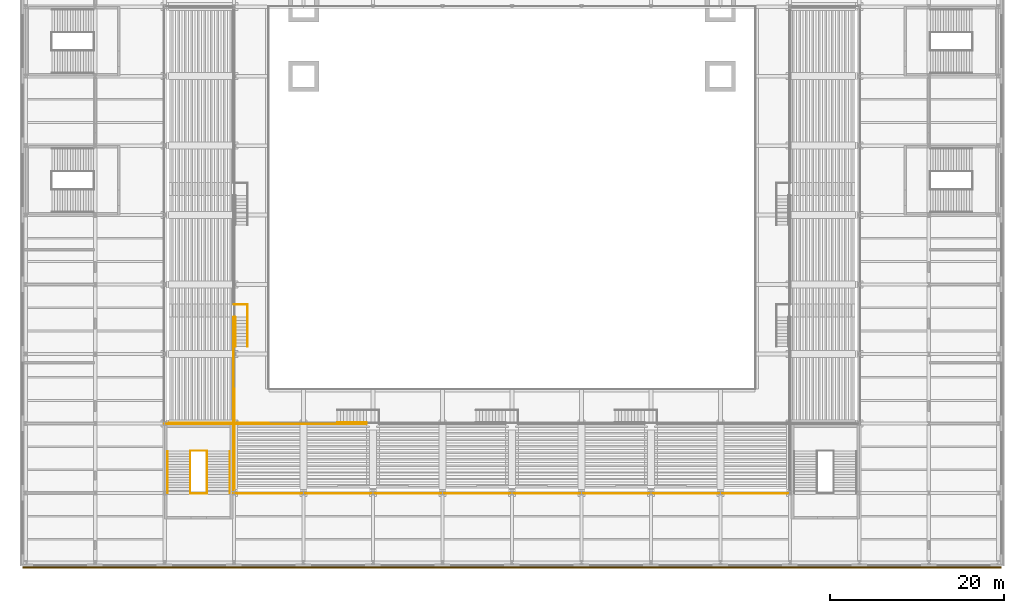
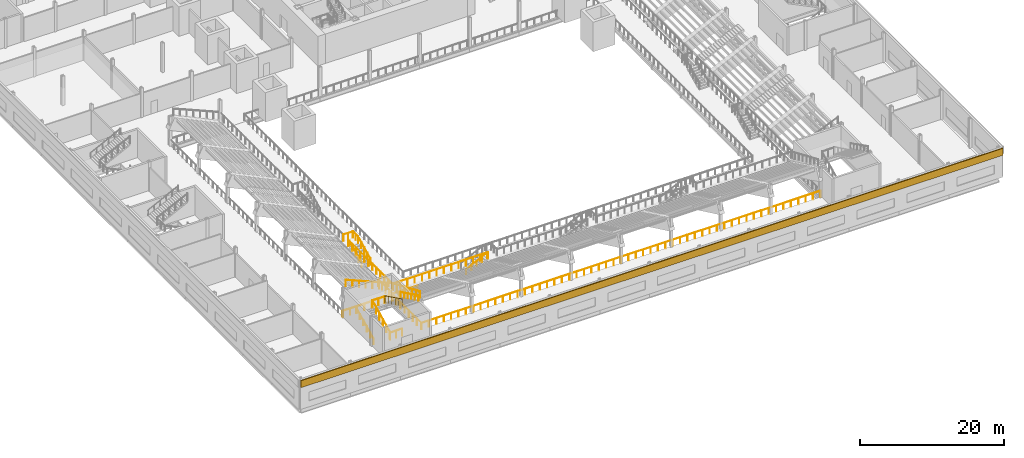
# One storey, part 20 of 27: 20 railings, 1 covering.
"""IFC4 building model written with IfcOpenShell, lengths in metres."""

from ifc_helpers import new_model, si_unit, direction, frame, origin, origin_2d, place, context, subcontext, project, spatial, rectangle, circle, extrude, material, layer, layer_set, type_object, element, save


model = new_model("IFC4")

# Units and contexts
model_context = context("Model", 3, precision=1e-05, world=origin(), true_north=direction((0.0, 1.0)))
body_context = subcontext(model_context, "Body", "Model", "MODEL_VIEW")
ifc_project = project(units=[si_unit("LENGTHUNIT", "METRE"), si_unit("AREAUNIT", "SQUARE_METRE"), si_unit("VOLUMEUNIT", "CUBIC_METRE"), si_unit("PLANEANGLEUNIT", "RADIAN"), si_unit("MASSUNIT", "GRAM", prefix="KILO")], contexts=[model_context])

# Site, building, storey
site_placement = place(None, origin())
site = spatial("IfcSite", under=ifc_project, at=site_placement, CompositionType="ELEMENT")
building_placement = place(site_placement, origin())
building = spatial("IfcBuilding", under=site, at=building_placement, Name="Daluyong Arena Tower", CompositionType="ELEMENT")
storey_placement = place(building_placement, frame((0.0, 0.0, 14.89990234375)))
storey = spatial("IfcBuildingStorey", under=building, at=storey_placement, Name="L03", CompositionType="ELEMENT", Elevation=14.89990234375)

# Railings
ifc_material_1 = material(Name="Steel guard with glass infill", Category="steel")
railing_type_1 = type_object("IfcRailingType", Name="Bowl front guard 1100", PredefinedType="GUARDRAIL", material=ifc_material_1)
railing_1_placement = place(storey_placement, frame((23.949951171875, 16.0, 1.785888671875)))
element("IfcRailing", 1, at=railing_1_placement, inside=storey, type_object=railing_type_1, Name="bowl guard", PredefinedType="GUARDRAIL", context=body_context, shape_type="SweptSolid", body=[
    extrude(circle(Radius=0.02392578125, at=origin_2d()), frame((0.0, 0.0, 1.076171875), z_axis=(0.0, 1.0, 0.0), x_axis=(-1.0, 0.0, 0.0)), (0.0, 0.0, 1.0), 12.25),
    extrude(circle(Radius=0.02099609375, at=origin_2d()), origin(), (0.0, 0.0, 1.0), 1.052001953125),
    extrude(circle(Radius=0.02099609375, at=origin_2d()), frame((0.0, 1.113525390625, 0.0)), (0.0, 0.0, 1.0), 1.052001953125),
    extrude(circle(Radius=0.02099609375, at=origin_2d()), frame((0.0, 2.227294921875, 0.0)), (0.0, 0.0, 1.0), 1.052001953125),
    extrude(circle(Radius=0.02099609375, at=origin_2d()), frame((0.0, 3.3408203125, 0.0)), (0.0, 0.0, 1.0), 1.052001953125),
    extrude(circle(Radius=0.02099609375, at=origin_2d()), frame((0.0, 4.45458984375, 0.0)), (0.0, 0.0, 1.0), 1.052001953125),
    extrude(circle(Radius=0.02099609375, at=origin_2d()), frame((0.0, 5.568115234375, 0.0)), (0.0, 0.0, 1.0), 1.052001953125),
    extrude(circle(Radius=0.02099609375, at=origin_2d()), frame((0.0, 6.681884765625, 0.0)), (0.0, 0.0, 1.0), 1.052001953125),
    extrude(circle(Radius=0.02099609375, at=origin_2d()), frame((0.0, 7.79541015625, 0.0)), (0.0, 0.0, 1.0), 1.052001953125),
    extrude(circle(Radius=0.02099609375, at=origin_2d()), frame((0.0, 8.9091796875, 0.0)), (0.0, 0.0, 1.0), 1.052001953125),
    extrude(circle(Radius=0.02099609375, at=origin_2d()), frame((0.0, 10.022705078125, 0.0)), (0.0, 0.0, 1.0), 1.052001953125),
    extrude(circle(Radius=0.02099609375, at=origin_2d()), frame((0.0, 11.136474609375, 0.0)), (0.0, 0.0, 1.0), 1.052001953125),
    extrude(circle(Radius=0.02099609375, at=origin_2d()), frame((0.0, 12.25, 0.0)), (0.0, 0.0, 1.0), 1.052001953125),
])
railing_2_placement = place(storey_placement, frame((24.0, 15.949951171875, 1.785888671875)))
element("IfcRailing", 2, at=railing_2_placement, inside=storey, type_object=railing_type_1, Name="bowl guard", PredefinedType="GUARDRAIL", context=body_context, shape_type="SweptSolid", body=[
    extrude(circle(Radius=0.02392578125, at=origin_2d()), frame((0.0, 0.0, 1.076171875), z_axis=(1.0, 0.0, 0.0), x_axis=(0.0, 1.0, 0.0)), (0.0, 0.0, 1.0), 15.25),
    extrude(circle(Radius=0.02099609375, at=origin_2d()), origin(), (0.0, 0.0, 1.0), 1.052001953125),
    extrude(circle(Radius=0.02099609375, at=origin_2d()), frame((1.173095703125, 0.0, 0.0)), (0.0, 0.0, 1.0), 1.052001953125),
    extrude(circle(Radius=0.02099609375, at=origin_2d()), frame((2.34619140625, 0.0, 0.0)), (0.0, 0.0, 1.0), 1.052001953125),
    extrude(circle(Radius=0.02099609375, at=origin_2d()), frame((3.519287109375, 0.0, 0.0)), (0.0, 0.0, 1.0), 1.052001953125),
    extrude(circle(Radius=0.02099609375, at=origin_2d()), frame((4.6923828125, 0.0, 0.0)), (0.0, 0.0, 1.0), 1.052001953125),
    extrude(circle(Radius=0.02099609375, at=origin_2d()), frame((5.865478515625, 0.0, 0.0)), (0.0, 0.0, 1.0), 1.052001953125),
    extrude(circle(Radius=0.02099609375, at=origin_2d()), frame((7.03857421875, 0.0, 0.0)), (0.0, 0.0, 1.0), 1.052001953125),
    extrude(circle(Radius=0.02099609375, at=origin_2d()), frame((8.21142578125, 0.0, 0.0)), (0.0, 0.0, 1.0), 1.052001953125),
    extrude(circle(Radius=0.02099609375, at=origin_2d()), frame((9.384521484375, 0.0, 0.0)), (0.0, 0.0, 1.0), 1.052001953125),
    extrude(circle(Radius=0.02099609375, at=origin_2d()), frame((10.5576171875, 0.0, 0.0)), (0.0, 0.0, 1.0), 1.052001953125),
    extrude(circle(Radius=0.02099609375, at=origin_2d()), frame((11.730712890625, 0.0, 0.0)), (0.0, 0.0, 1.0), 1.052001953125),
    extrude(circle(Radius=0.02099609375, at=origin_2d()), frame((12.90380859375, 0.0, 0.0)), (0.0, 0.0, 1.0), 1.052001953125),
    extrude(circle(Radius=0.02099609375, at=origin_2d()), frame((14.076904296875, 0.0, 0.0)), (0.0, 0.0, 1.0), 1.052001953125),
    extrude(circle(Radius=0.02099609375, at=origin_2d()), frame((15.25, 0.0, 0.0)), (0.0, 0.0, 1.0), 1.052001953125),
])
ifc_material_2 = material(Name="Steel guard with glass infill", Category="steel")
railing_type_2 = type_object("IfcRailingType", Name="Floor edge guard 1100", PredefinedType="GUARDRAIL", material=ifc_material_2)
railing_3_placement = place(storey_placement, frame((24.0, 16.050048828125, 1.785888671875)))
element("IfcRailing", 3, at=railing_3_placement, inside=storey, type_object=railing_type_2, Name="bowl guard", PredefinedType="GUARDRAIL", context=body_context, shape_type="SweptSolid", body=[
    extrude(circle(Radius=0.02392578125, at=origin_2d()), frame((0.0, 0.0, 1.076171875), z_axis=(-0.919152767859, 0.0, 0.393901243127), x_axis=(0.0, -1.0, 0.0)), (0.0, 0.0, 1.0), 8.15966796875),
    extrude(circle(Radius=0.02099609375, at=origin_2d()), origin(), (0.0, 0.0, 1.0), 1.052001953125),
    extrude(circle(Radius=0.02099609375, at=origin_2d()), frame((-1.071533203125, 0.0, 0.459228515625)), (0.0, 0.0, 1.0), 1.052001953125),
    extrude(circle(Radius=0.02099609375, at=origin_2d()), frame((-2.142822265625, 0.0, 0.918212890625)), (0.0, 0.0, 1.0), 1.052001953125),
    extrude(circle(Radius=0.02099609375, at=origin_2d()), frame((-3.21435546875, 0.0, 1.37744140625)), (0.0, 0.0, 1.0), 1.052001953125),
    extrude(circle(Radius=0.02099609375, at=origin_2d()), frame((-4.28564453125, 0.0, 1.836669921875)), (0.0, 0.0, 1.0), 1.052001953125),
    extrude(circle(Radius=0.02099609375, at=origin_2d()), frame((-5.357177734375, 0.0, 2.2958984375)), (0.0, 0.0, 1.0), 1.052001953125),
    extrude(circle(Radius=0.02099609375, at=origin_2d()), frame((-6.428466796875, 0.0, 2.7548828125)), (0.0, 0.0, 1.0), 1.052001953125),
    extrude(circle(Radius=0.02099609375, at=origin_2d()), frame((-7.5, 0.0, 3.214111328125)), (0.0, 0.0, 1.0), 1.052001953125),
])
railing_4_placement = place(storey_placement, frame((24.050048828125, 16.0, 1.785888671875)))
element("IfcRailing", 4, at=railing_4_placement, inside=storey, type_object=railing_type_2, Name="bowl guard", PredefinedType="GUARDRAIL", context=body_context, shape_type="SweptSolid", body=[
    extrude(circle(Radius=0.02392578125, at=origin_2d()), frame((0.0, 0.0, 1.076171875), z_axis=(0.0, -0.919152767859, 0.393901243127), x_axis=(1.0, 0.0, 0.0)), (0.0, 0.0, 1.0), 8.15966796875),
    extrude(circle(Radius=0.02099609375, at=origin_2d()), origin(), (0.0, 0.0, 1.0), 1.052001953125),
    extrude(circle(Radius=0.02099609375, at=origin_2d()), frame((0.0, -1.071533203125, 0.459228515625)), (0.0, 0.0, 1.0), 1.052001953125),
    extrude(circle(Radius=0.02099609375, at=origin_2d()), frame((0.0, -2.142822265625, 0.918212890625)), (0.0, 0.0, 1.0), 1.052001953125),
    extrude(circle(Radius=0.02099609375, at=origin_2d()), frame((0.0, -3.21435546875, 1.37744140625)), (0.0, 0.0, 1.0), 1.052001953125),
    extrude(circle(Radius=0.02099609375, at=origin_2d()), frame((0.0, -4.28564453125, 1.836669921875)), (0.0, 0.0, 1.0), 1.052001953125),
    extrude(circle(Radius=0.02099609375, at=origin_2d()), frame((0.0, -5.357177734375, 2.2958984375)), (0.0, 0.0, 1.0), 1.052001953125),
    extrude(circle(Radius=0.02099609375, at=origin_2d()), frame((0.0, -6.428466796875, 2.7548828125)), (0.0, 0.0, 1.0), 1.052001953125),
    extrude(circle(Radius=0.02099609375, at=origin_2d()), frame((0.0, -7.5, 3.214111328125)), (0.0, 0.0, 1.0), 1.052001953125),
])
railing_5_placement = place(storey_placement, frame((88.0, 7.949951171875, 0.0)))
element("IfcRailing", 5, at=railing_5_placement, inside=storey, type_object=railing_type_2, Name="floor edge guard L03", PredefinedType="GUARDRAIL", context=body_context, shape_type="SweptSolid", body=[
    extrude(circle(Radius=0.02392578125, at=origin_2d()), frame((0.0, 0.0, 1.076171875), z_axis=(-1.0, 0.0, 0.0), x_axis=(0.0, -1.0, 0.0)), (0.0, 0.0, 1.0), 64.0),
    extrude(circle(Radius=0.02099609375, at=origin_2d()), origin(), (0.0, 0.0, 1.0), 1.052001953125),
    extrude(circle(Radius=0.02099609375, at=origin_2d()), frame((-1.185302734375, 0.0, 0.0)), (0.0, 0.0, 1.0), 1.052001953125),
    extrude(circle(Radius=0.02099609375, at=origin_2d()), frame((-2.370361328125, 0.0, 0.0)), (0.0, 0.0, 1.0), 1.052001953125),
    extrude(circle(Radius=0.02099609375, at=origin_2d()), frame((-3.5556640625, 0.0, 0.0)), (0.0, 0.0, 1.0), 1.052001953125),
    extrude(circle(Radius=0.02099609375, at=origin_2d()), frame((-4.74072265625, 0.0, 0.0)), (0.0, 0.0, 1.0), 1.052001953125),
    extrude(circle(Radius=0.02099609375, at=origin_2d()), frame((-5.926025390625, 0.0, 0.0)), (0.0, 0.0, 1.0), 1.052001953125),
    extrude(circle(Radius=0.02099609375, at=origin_2d()), frame((-7.111083984375, 0.0, 0.0)), (0.0, 0.0, 1.0), 1.052001953125),
    extrude(circle(Radius=0.02099609375, at=origin_2d()), frame((-8.29638671875, 0.0, 0.0)), (0.0, 0.0, 1.0), 1.052001953125),
    extrude(circle(Radius=0.02099609375, at=origin_2d()), frame((-9.4814453125, 0.0, 0.0)), (0.0, 0.0, 1.0), 1.052001953125),
    extrude(circle(Radius=0.02099609375, at=origin_2d()), frame((-10.666748046875, 0.0, 0.0)), (0.0, 0.0, 1.0), 1.052001953125),
    extrude(circle(Radius=0.02099609375, at=origin_2d()), frame((-11.851806640625, 0.0, 0.0)), (0.0, 0.0, 1.0), 1.052001953125),
    extrude(circle(Radius=0.02099609375, at=origin_2d()), frame((-13.037109375, 0.0, 0.0)), (0.0, 0.0, 1.0), 1.052001953125),
    extrude(circle(Radius=0.02099609375, at=origin_2d()), frame((-14.22216796875, 0.0, 0.0)), (0.0, 0.0, 1.0), 1.052001953125),
    extrude(circle(Radius=0.02099609375, at=origin_2d()), frame((-15.407470703125, 0.0, 0.0)), (0.0, 0.0, 1.0), 1.052001953125),
    extrude(circle(Radius=0.02099609375, at=origin_2d()), frame((-16.592529296875, 0.0, 0.0)), (0.0, 0.0, 1.0), 1.052001953125),
    extrude(circle(Radius=0.02099609375, at=origin_2d()), frame((-17.77783203125, 0.0, 0.0)), (0.0, 0.0, 1.0), 1.052001953125),
    extrude(circle(Radius=0.02099609375, at=origin_2d()), frame((-18.962890625, 0.0, 0.0)), (0.0, 0.0, 1.0), 1.052001953125),
    extrude(circle(Radius=0.02099609375, at=origin_2d()), frame((-20.148193359375, 0.0, 0.0)), (0.0, 0.0, 1.0), 1.052001953125),
    extrude(circle(Radius=0.02099609375, at=origin_2d()), frame((-21.333251953125, 0.0, 0.0)), (0.0, 0.0, 1.0), 1.052001953125),
    extrude(circle(Radius=0.02099609375, at=origin_2d()), frame((-22.5185546875, 0.0, 0.0)), (0.0, 0.0, 1.0), 1.052001953125),
    extrude(circle(Radius=0.02099609375, at=origin_2d()), frame((-23.70361328125, 0.0, 0.0)), (0.0, 0.0, 1.0), 1.052001953125),
    extrude(circle(Radius=0.02099609375, at=origin_2d()), frame((-24.888916015625, 0.0, 0.0)), (0.0, 0.0, 1.0), 1.052001953125),
    extrude(circle(Radius=0.02099609375, at=origin_2d()), frame((-26.073974609375, 0.0, 0.0)), (0.0, 0.0, 1.0), 1.052001953125),
    extrude(circle(Radius=0.02099609375, at=origin_2d()), frame((-27.25927734375, 0.0, 0.0)), (0.0, 0.0, 1.0), 1.052001953125),
    extrude(circle(Radius=0.02099609375, at=origin_2d()), frame((-28.4443359375, 0.0, 0.0)), (0.0, 0.0, 1.0), 1.052001953125),
    extrude(circle(Radius=0.02099609375, at=origin_2d()), frame((-29.629638671875, 0.0, 0.0)), (0.0, 0.0, 1.0), 1.052001953125),
    extrude(circle(Radius=0.02099609375, at=origin_2d()), frame((-30.814697265625, 0.0, 0.0)), (0.0, 0.0, 1.0), 1.052001953125),
    extrude(circle(Radius=0.02099609375, at=origin_2d()), frame((-32.0, 0.0, 0.0)), (0.0, 0.0, 1.0), 1.052001953125),
    extrude(circle(Radius=0.02099609375, at=origin_2d()), frame((-33.185302734375, 0.0, 0.0)), (0.0, 0.0, 1.0), 1.052001953125),
    extrude(circle(Radius=0.02099609375, at=origin_2d()), frame((-34.370361328125, 0.0, 0.0)), (0.0, 0.0, 1.0), 1.052001953125),
    extrude(circle(Radius=0.02099609375, at=origin_2d()), frame((-35.5556640625, 0.0, 0.0)), (0.0, 0.0, 1.0), 1.052001953125),
    extrude(circle(Radius=0.02099609375, at=origin_2d()), frame((-36.74072265625, 0.0, 0.0)), (0.0, 0.0, 1.0), 1.052001953125),
    extrude(circle(Radius=0.02099609375, at=origin_2d()), frame((-37.926025390625, 0.0, 0.0)), (0.0, 0.0, 1.0), 1.052001953125),
    extrude(circle(Radius=0.02099609375, at=origin_2d()), frame((-39.111083984375, 0.0, 0.0)), (0.0, 0.0, 1.0), 1.052001953125),
    extrude(circle(Radius=0.02099609375, at=origin_2d()), frame((-40.29638671875, 0.0, 0.0)), (0.0, 0.0, 1.0), 1.052001953125),
    extrude(circle(Radius=0.02099609375, at=origin_2d()), frame((-41.4814453125, 0.0, 0.0)), (0.0, 0.0, 1.0), 1.052001953125),
    extrude(circle(Radius=0.02099609375, at=origin_2d()), frame((-42.666748046875, 0.0, 0.0)), (0.0, 0.0, 1.0), 1.052001953125),
    extrude(circle(Radius=0.02099609375, at=origin_2d()), frame((-43.851806640625, 0.0, 0.0)), (0.0, 0.0, 1.0), 1.052001953125),
    extrude(circle(Radius=0.02099609375, at=origin_2d()), frame((-45.037109375, 0.0, 0.0)), (0.0, 0.0, 1.0), 1.052001953125),
    extrude(circle(Radius=0.02099609375, at=origin_2d()), frame((-46.22216796875, 0.0, 0.0)), (0.0, 0.0, 1.0), 1.052001953125),
    extrude(circle(Radius=0.02099609375, at=origin_2d()), frame((-47.407470703125, 0.0, 0.0)), (0.0, 0.0, 1.0), 1.052001953125),
    extrude(circle(Radius=0.02099609375, at=origin_2d()), frame((-48.592529296875, 0.0, 0.0)), (0.0, 0.0, 1.0), 1.052001953125),
    extrude(circle(Radius=0.02099609375, at=origin_2d()), frame((-49.77783203125, 0.0, 0.0)), (0.0, 0.0, 1.0), 1.052001953125),
    extrude(circle(Radius=0.02099609375, at=origin_2d()), frame((-50.962890625, 0.0, 0.0)), (0.0, 0.0, 1.0), 1.052001953125),
    extrude(circle(Radius=0.02099609375, at=origin_2d()), frame((-52.148193359375, 0.0, 0.0)), (0.0, 0.0, 1.0), 1.052001953125),
    extrude(circle(Radius=0.02099609375, at=origin_2d()), frame((-53.333251953125, 0.0, 0.0)), (0.0, 0.0, 1.0), 1.052001953125),
    extrude(circle(Radius=0.02099609375, at=origin_2d()), frame((-54.5185546875, 0.0, 0.0)), (0.0, 0.0, 1.0), 1.052001953125),
    extrude(circle(Radius=0.02099609375, at=origin_2d()), frame((-55.70361328125, 0.0, 0.0)), (0.0, 0.0, 1.0), 1.052001953125),
    extrude(circle(Radius=0.02099609375, at=origin_2d()), frame((-56.888916015625, 0.0, 0.0)), (0.0, 0.0, 1.0), 1.052001953125),
    extrude(circle(Radius=0.02099609375, at=origin_2d()), frame((-58.073974609375, 0.0, 0.0)), (0.0, 0.0, 1.0), 1.052001953125),
    extrude(circle(Radius=0.02099609375, at=origin_2d()), frame((-59.25927734375, 0.0, 0.0)), (0.0, 0.0, 1.0), 1.052001953125),
    extrude(circle(Radius=0.02099609375, at=origin_2d()), frame((-60.4443359375, 0.0, 0.0)), (0.0, 0.0, 1.0), 1.052001953125),
    extrude(circle(Radius=0.02099609375, at=origin_2d()), frame((-61.629638671875, 0.0, 0.0)), (0.0, 0.0, 1.0), 1.052001953125),
    extrude(circle(Radius=0.02099609375, at=origin_2d()), frame((-62.814697265625, 0.0, 0.0)), (0.0, 0.0, 1.0), 1.052001953125),
    extrude(circle(Radius=0.02099609375, at=origin_2d()), frame((-64.0, 0.0, 0.0)), (0.0, 0.0, 1.0), 1.052001953125),
])
railing_6_placement = place(storey_placement, frame((23.949951171875, 8.0, 0.0)))
element("IfcRailing", 6, at=railing_6_placement, inside=storey, type_object=railing_type_2, Name="floor edge guard L03", PredefinedType="GUARDRAIL", context=body_context, shape_type="SweptSolid", body=[
    extrude(circle(Radius=0.02392578125, at=origin_2d()), frame((0.0, 0.0, 1.076171875), z_axis=(0.0, 1.0, 0.0), x_axis=(-1.0, 0.0, 0.0)), (0.0, 0.0, 1.0), 8.0),
    extrude(circle(Radius=0.02099609375, at=origin_2d()), origin(), (0.0, 0.0, 1.0), 1.052001953125),
    extrude(circle(Radius=0.02099609375, at=origin_2d()), frame((0.0, 1.142822265625, 0.0)), (0.0, 0.0, 1.0), 1.052001953125),
    extrude(circle(Radius=0.02099609375, at=origin_2d()), frame((0.0, 2.28564453125, 0.0)), (0.0, 0.0, 1.0), 1.052001953125),
    extrude(circle(Radius=0.02099609375, at=origin_2d()), frame((0.0, 3.428466796875, 0.0)), (0.0, 0.0, 1.0), 1.052001953125),
    extrude(circle(Radius=0.02099609375, at=origin_2d()), frame((0.0, 4.571533203125, 0.0)), (0.0, 0.0, 1.0), 1.052001953125),
    extrude(circle(Radius=0.02099609375, at=origin_2d()), frame((0.0, 5.71435546875, 0.0)), (0.0, 0.0, 1.0), 1.052001953125),
    extrude(circle(Radius=0.02099609375, at=origin_2d()), frame((0.0, 6.857177734375, 0.0)), (0.0, 0.0, 1.0), 1.052001953125),
    extrude(circle(Radius=0.02099609375, at=origin_2d()), frame((0.0, 8.0, 0.0)), (0.0, 0.0, 1.0), 1.052001953125),
])
railing_7_placement = place(storey_placement, frame((24.0, 16.050048828125, 0.0)))
element("IfcRailing", 7, at=railing_7_placement, inside=storey, type_object=railing_type_2, Name="floor edge guard L03", PredefinedType="GUARDRAIL", context=body_context, shape_type="SweptSolid", body=[
    extrude(circle(Radius=0.02392578125, at=origin_2d()), frame((0.0, 0.0, 1.076171875), z_axis=(1.0, 0.0, 0.0), x_axis=(0.0, 1.0, 0.0)), (0.0, 0.0, 1.0), 4.0),
    extrude(circle(Radius=0.02099609375, at=origin_2d()), origin(), (0.0, 0.0, 1.0), 1.052001953125),
    extrude(circle(Radius=0.02099609375, at=origin_2d()), frame((1.0, 0.0, 0.0)), (0.0, 0.0, 1.0), 1.052001953125),
    extrude(circle(Radius=0.02099609375, at=origin_2d()), frame((2.0, 0.0, 0.0)), (0.0, 0.0, 1.0), 1.052001953125),
    extrude(circle(Radius=0.02099609375, at=origin_2d()), frame((3.0, 0.0, 0.0)), (0.0, 0.0, 1.0), 1.052001953125),
    extrude(circle(Radius=0.02099609375, at=origin_2d()), frame((4.0, 0.0, 0.0)), (0.0, 0.0, 1.0), 1.052001953125),
])
railing_8_placement = place(storey_placement, frame((24.050048828125, 20.0, 0.0)))
element("IfcRailing", 8, at=railing_8_placement, inside=storey, type_object=railing_type_2, Name="floor edge guard L03", PredefinedType="GUARDRAIL", context=body_context, shape_type="SweptSolid", body=[
    extrude(circle(Radius=0.02392578125, at=origin_2d()), frame((0.0, 0.0, 1.076171875), z_axis=(0.0, -1.0, 0.0), x_axis=(1.0, 0.0, 0.0)), (0.0, 0.0, 1.0), 4.0),
    extrude(circle(Radius=0.02099609375, at=origin_2d()), origin(), (0.0, 0.0, 1.0), 1.052001953125),
    extrude(circle(Radius=0.02099609375, at=origin_2d()), frame((0.0, -1.0, 0.0)), (0.0, 0.0, 1.0), 1.052001953125),
    extrude(circle(Radius=0.02099609375, at=origin_2d()), frame((0.0, -2.0, 0.0)), (0.0, 0.0, 1.0), 1.052001953125),
    extrude(circle(Radius=0.02099609375, at=origin_2d()), frame((0.0, -3.0, 0.0)), (0.0, 0.0, 1.0), 1.052001953125),
    extrude(circle(Radius=0.02099609375, at=origin_2d()), frame((0.0, -4.0, 0.0)), (0.0, 0.0, 1.0), 1.052001953125),
])
railing_9_placement = place(storey_placement, frame((24.0, 15.949951171875, 0.0)))
element("IfcRailing", 9, at=railing_9_placement, inside=storey, type_object=railing_type_2, Name="floor edge guard L03", PredefinedType="GUARDRAIL", context=body_context, shape_type="SweptSolid", body=[
    extrude(circle(Radius=0.02392578125, at=origin_2d()), frame((0.0, 0.0, 1.076171875), z_axis=(-1.0, 0.0, 0.0), x_axis=(0.0, -1.0, 0.0)), (0.0, 0.0, 1.0), 8.0),
    extrude(circle(Radius=0.02099609375, at=origin_2d()), origin(), (0.0, 0.0, 1.0), 1.052001953125),
    extrude(circle(Radius=0.02099609375, at=origin_2d()), frame((-1.142822265625, 0.0, 0.0)), (0.0, 0.0, 1.0), 1.052001953125),
    extrude(circle(Radius=0.02099609375, at=origin_2d()), frame((-2.28564453125, 0.0, 0.0)), (0.0, 0.0, 1.0), 1.052001953125),
    extrude(circle(Radius=0.02099609375, at=origin_2d()), frame((-3.428466796875, 0.0, 0.0)), (0.0, 0.0, 1.0), 1.052001953125),
    extrude(circle(Radius=0.02099609375, at=origin_2d()), frame((-4.571533203125, 0.0, 0.0)), (0.0, 0.0, 1.0), 1.052001953125),
    extrude(circle(Radius=0.02099609375, at=origin_2d()), frame((-5.71435546875, 0.0, 0.0)), (0.0, 0.0, 1.0), 1.052001953125),
    extrude(circle(Radius=0.02099609375, at=origin_2d()), frame((-6.857177734375, 0.0, 0.0)), (0.0, 0.0, 1.0), 1.052001953125),
    extrude(circle(Radius=0.02099609375, at=origin_2d()), frame((-8.0, 0.0, 0.0)), (0.0, 0.0, 1.0), 1.052001953125),
])

# Covering
ifc_material_3 = material(Name="Red-pigmented glass fibre reinforced concrete", Category="concrete")
ifc_layer = layer(ifc_material_3, 0.14990234375)
ifc_layer_set = layer_set([ifc_layer], Name="Red-pigmented glass fibre reinforced concrete")
covering_type = type_object("IfcCoveringType", Name="Podium band cladding", PredefinedType="CLADDING", material=ifc_layer_set)
covering_placement = place(storey_placement, frame((56.0, -0.574951171875, 3.80029296875), z_axis=(0.0, 0.0, 1.0), x_axis=(1.0, 0.0, 0.0)))
element("IfcCovering", 10, at=covering_placement, inside=storey, type_object=covering_type, Name="podium band S L03", PredefinedType="CLADDING", context=body_context, shape_type="SweptSolid", body=[
    extrude(rectangle(XDim=112.699951171875, YDim=0.14990234375, at=origin_2d()), origin(), (0.0, 0.0, 1.0), 1.199951171875),
])

# Railings
ifc_material_4 = material(Name="Stainless steel handrail", Category="steel")
railing_type_3 = type_object("IfcRailingType", Name="Stair handrail", PredefinedType="HANDRAIL", material=ifc_material_4)
railing_10_placement = place(storey_placement, frame((16.35009765625, 8.010009765625, 0.147216796875)))
element("IfcRailing", 11, at=railing_10_placement, inside=storey, type_object=railing_type_3, Name="exit stair PS1 handrail L03", PredefinedType="HANDRAIL", context=body_context, shape_type="SweptSolid", body=[
    extrude(circle(Radius=0.02392578125, at=origin_2d()), frame((0.0, 0.0, 0.8759765625), z_axis=(0.0, 0.89793417156, 0.440129780343), x_axis=(-1.0, 0.0, 0.0)), (0.0, 0.0, 1.0), 5.345703125),
    extrude(circle(Radius=0.02099609375, at=origin_2d()), origin(), (0.0, 0.0, 1.0), 0.851806640625),
    extrude(circle(Radius=0.02099609375, at=origin_2d()), frame((0.0, 0.9599609375, 0.470458984375)), (0.0, 0.0, 1.0), 0.851806640625),
    extrude(circle(Radius=0.02099609375, at=origin_2d()), frame((0.0, 1.919921875, 0.941162109375)), (0.0, 0.0, 1.0), 0.851806640625),
    extrude(circle(Radius=0.02099609375, at=origin_2d()), frame((0.0, 2.880126953125, 1.41162109375)), (0.0, 0.0, 1.0), 0.851806640625),
    extrude(circle(Radius=0.02099609375, at=origin_2d()), frame((0.0, 3.840087890625, 1.88232421875)), (0.0, 0.0, 1.0), 0.851806640625),
    extrude(circle(Radius=0.02099609375, at=origin_2d()), frame((0.0, 4.800048828125, 2.352783203125)), (0.0, 0.0, 1.0), 0.851806640625),
])
railing_11_placement = place(storey_placement, frame((23.5, 12.81005859375, 2.647216796875)))
element("IfcRailing", 12, at=railing_11_placement, inside=storey, type_object=railing_type_3, Name="exit stair PS1 handrail L03", PredefinedType="HANDRAIL", context=body_context, shape_type="SweptSolid", body=[
    extrude(circle(Radius=0.02392578125, at=origin_2d()), frame((0.0, 0.0, 0.8759765625), z_axis=(0.0, -0.89793417156, 0.440129780343), x_axis=(1.0, 0.0, 0.0)), (0.0, 0.0, 1.0), 5.345703125),
    extrude(circle(Radius=0.02099609375, at=origin_2d()), origin(), (0.0, 0.0, 1.0), 0.851806640625),
    extrude(circle(Radius=0.02099609375, at=origin_2d()), frame((0.0, -0.9599609375, 0.470458984375)), (0.0, 0.0, 1.0), 0.851806640625),
    extrude(circle(Radius=0.02099609375, at=origin_2d()), frame((0.0, -1.919921875, 0.941162109375)), (0.0, 0.0, 1.0), 0.851806640625),
    extrude(circle(Radius=0.02099609375, at=origin_2d()), frame((0.0, -2.880126953125, 1.41162109375)), (0.0, 0.0, 1.0), 0.851806640625),
    extrude(circle(Radius=0.02099609375, at=origin_2d()), frame((0.0, -3.840087890625, 1.88232421875)), (0.0, 0.0, 1.0), 0.851806640625),
    extrude(circle(Radius=0.02099609375, at=origin_2d()), frame((0.0, -4.800048828125, 2.352783203125)), (0.0, 0.0, 1.0), 0.851806640625),
])
railing_12_placement = place(storey_placement, frame((24.14990234375, 24.875, 0.1787109375)))
element("IfcRailing", 13, at=railing_12_placement, inside=storey, type_object=railing_type_3, Name="upper bowl aisle stair handrail", PredefinedType="HANDRAIL", context=body_context, shape_type="SweptSolid", body=[
    extrude(circle(Radius=0.02392578125, at=origin_2d()), frame((0.0, 0.0, 0.8759765625), z_axis=(0.0, 0.902856897119, 0.42994118589), x_axis=(-1.0, 0.0, 0.0)), (0.0, 0.0, 1.0), 3.738037109375),
    extrude(circle(Radius=0.02099609375, at=origin_2d()), origin(), (0.0, 0.0, 1.0), 0.851806640625),
    extrude(circle(Radius=0.02099609375, at=origin_2d()), frame((0.0, 0.84375, 0.40185546875)), (0.0, 0.0, 1.0), 0.851806640625),
    extrude(circle(Radius=0.02099609375, at=origin_2d()), frame((0.0, 1.6875, 0.8037109375)), (0.0, 0.0, 1.0), 0.851806640625),
    extrude(circle(Radius=0.02099609375, at=origin_2d()), frame((0.0, 2.53125, 1.205322265625)), (0.0, 0.0, 1.0), 0.851806640625),
    extrude(circle(Radius=0.02099609375, at=origin_2d()), frame((0.0, 3.375, 1.607177734375)), (0.0, 0.0, 1.0), 0.851806640625),
])
railing_13_placement = place(storey_placement, frame((35.875, 16.14990234375, 0.1787109375)))
element("IfcRailing", 14, at=railing_13_placement, inside=storey, type_object=railing_type_3, Name="upper bowl aisle stair handrail", PredefinedType="HANDRAIL", context=body_context, shape_type="SweptSolid", body=[
    extrude(circle(Radius=0.02392578125, at=origin_2d()), frame((0.0, 0.0, 0.8759765625), z_axis=(0.902856897119, 0.0, 0.42994118589), x_axis=(0.0, 1.0, 0.0)), (0.0, 0.0, 1.0), 3.738037109375),
    extrude(circle(Radius=0.02099609375, at=origin_2d()), origin(), (0.0, 0.0, 1.0), 0.851806640625),
    extrude(circle(Radius=0.02099609375, at=origin_2d()), frame((0.84375, 0.0, 0.40185546875)), (0.0, 0.0, 1.0), 0.851806640625),
    extrude(circle(Radius=0.02099609375, at=origin_2d()), frame((1.6875, 0.0, 0.8037109375)), (0.0, 0.0, 1.0), 0.851806640625),
    extrude(circle(Radius=0.02099609375, at=origin_2d()), frame((2.53125, 0.0, 1.205322265625)), (0.0, 0.0, 1.0), 0.851806640625),
    extrude(circle(Radius=0.02099609375, at=origin_2d()), frame((3.375, 0.0, 1.607177734375)), (0.0, 0.0, 1.0), 0.851806640625),
])
ifc_material_5 = material(Name="Steel balustrade", Category="steel")
railing_type_4 = type_object("IfcRailingType", Name="Stair well guard 1100", PredefinedType="GUARDRAIL", material=ifc_material_5)
railing_14_placement = place(storey_placement, frame((25.550048828125, 24.875, 0.1787109375)))
element("IfcRailing", 15, at=railing_14_placement, inside=storey, type_object=railing_type_4, Name="upper bowl aisle stair guard", PredefinedType="GUARDRAIL", context=body_context, shape_type="SweptSolid", body=[
    extrude(circle(Radius=0.02392578125, at=origin_2d()), frame((0.0, 0.0, 1.076171875), z_axis=(0.0, 0.902856897119, 0.42994118589), x_axis=(-1.0, 0.0, 0.0)), (0.0, 0.0, 1.0), 3.738037109375),
    extrude(circle(Radius=0.02099609375, at=origin_2d()), origin(), (0.0, 0.0, 1.0), 1.052001953125),
    extrude(circle(Radius=0.02099609375, at=origin_2d()), frame((0.0, 0.84375, 0.40185546875)), (0.0, 0.0, 1.0), 1.052001953125),
    extrude(circle(Radius=0.02099609375, at=origin_2d()), frame((0.0, 1.6875, 0.8037109375)), (0.0, 0.0, 1.0), 1.052001953125),
    extrude(circle(Radius=0.02099609375, at=origin_2d()), frame((0.0, 2.53125, 1.205322265625)), (0.0, 0.0, 1.0), 1.052001953125),
    extrude(circle(Radius=0.02099609375, at=origin_2d()), frame((0.0, 3.375, 1.607177734375)), (0.0, 0.0, 1.0), 1.052001953125),
])
railing_15_placement = place(storey_placement, frame((25.550048828125, 28.25, 1.785888671875)))
element("IfcRailing", 16, at=railing_15_placement, inside=storey, type_object=railing_type_4, Name="upper bowl aisle stair guard", PredefinedType="GUARDRAIL", context=body_context, shape_type="SweptSolid", body=[
    extrude(circle(Radius=0.02392578125, at=origin_2d()), frame((0.0, 0.0, 1.076171875), z_axis=(0.0, 1.0, 0.0), x_axis=(-1.0, 0.0, 0.0)), (0.0, 0.0, 1.0), 1.449951171875),
    extrude(circle(Radius=0.02099609375, at=origin_2d()), origin(), (0.0, 0.0, 1.0), 1.052001953125),
    extrude(circle(Radius=0.02099609375, at=origin_2d()), frame((0.0, 0.72509765625, 0.0)), (0.0, 0.0, 1.0), 1.052001953125),
    extrude(circle(Radius=0.02099609375, at=origin_2d()), frame((0.0, 1.449951171875, 0.0)), (0.0, 0.0, 1.0), 1.052001953125),
])
railing_16_placement = place(storey_placement, frame((25.550048828125, 29.699951171875, 1.785888671875)))
element("IfcRailing", 17, at=railing_16_placement, inside=storey, type_object=railing_type_4, Name="upper bowl aisle stair guard", PredefinedType="GUARDRAIL", context=body_context, shape_type="SweptSolid", body=[
    extrude(circle(Radius=0.02392578125, at=origin_2d()), frame((0.0, 0.0, 1.076171875), z_axis=(-1.0, 0.0, 0.0), x_axis=(0.0, -1.0, 0.0)), (0.0, 0.0, 1.0), 1.550048828125),
    extrude(circle(Radius=0.02099609375, at=origin_2d()), origin(), (0.0, 0.0, 1.0), 1.052001953125),
    extrude(circle(Radius=0.02099609375, at=origin_2d()), frame((-0.77490234375, 0.0, 0.0)), (0.0, 0.0, 1.0), 1.052001953125),
    extrude(circle(Radius=0.02099609375, at=origin_2d()), frame((-1.550048828125, 0.0, 0.0)), (0.0, 0.0, 1.0), 1.052001953125),
])
ifc_material_6 = material(Name="Steel balustrade", Category="steel")
railing_type_5 = type_object("IfcRailingType", Name="Stair well guard 1200", PredefinedType="GUARDRAIL", material=ifc_material_6)
railing_17_placement = place(storey_placement, frame((18.949951171875, 8.010009765625, 0.147216796875)))
element("IfcRailing", 18, at=railing_17_placement, inside=storey, type_object=railing_type_5, Name="exit stair PS1 well guard L03", PredefinedType="GUARDRAIL", context=body_context, shape_type="SweptSolid", body=[
    extrude(circle(Radius=0.02392578125, at=origin_2d()), frame((0.0, 0.0, 1.17578125), z_axis=(0.0, 0.89793417156, 0.440129780343), x_axis=(-1.0, 0.0, 0.0)), (0.0, 0.0, 1.0), 5.345703125),
    extrude(circle(Radius=0.02099609375, at=origin_2d()), origin(), (0.0, 0.0, 1.0), 1.15185546875),
    extrude(circle(Radius=0.02099609375, at=origin_2d()), frame((0.0, 0.9599609375, 0.470458984375)), (0.0, 0.0, 1.0), 1.15185546875),
    extrude(circle(Radius=0.02099609375, at=origin_2d()), frame((0.0, 1.919921875, 0.941162109375)), (0.0, 0.0, 1.0), 1.15185546875),
    extrude(circle(Radius=0.02099609375, at=origin_2d()), frame((0.0, 2.880126953125, 1.41162109375)), (0.0, 0.0, 1.0), 1.15185546875),
    extrude(circle(Radius=0.02099609375, at=origin_2d()), frame((0.0, 3.840087890625, 1.88232421875)), (0.0, 0.0, 1.0), 1.15185546875),
    extrude(circle(Radius=0.02099609375, at=origin_2d()), frame((0.0, 4.800048828125, 2.352783203125)), (0.0, 0.0, 1.0), 1.15185546875),
])
railing_18_placement = place(storey_placement, frame((20.89990234375, 12.81005859375, 2.647216796875)))
element("IfcRailing", 19, at=railing_18_placement, inside=storey, type_object=railing_type_5, Name="exit stair PS1 well guard L03", PredefinedType="GUARDRAIL", context=body_context, shape_type="SweptSolid", body=[
    extrude(circle(Radius=0.02392578125, at=origin_2d()), frame((0.0, 0.0, 1.17578125), z_axis=(0.0, -0.89793417156, 0.440129780343), x_axis=(1.0, 0.0, 0.0)), (0.0, 0.0, 1.0), 5.345703125),
    extrude(circle(Radius=0.02099609375, at=origin_2d()), origin(), (0.0, 0.0, 1.0), 1.15185546875),
    extrude(circle(Radius=0.02099609375, at=origin_2d()), frame((0.0, -0.9599609375, 0.470458984375)), (0.0, 0.0, 1.0), 1.15185546875),
    extrude(circle(Radius=0.02099609375, at=origin_2d()), frame((0.0, -1.919921875, 0.941162109375)), (0.0, 0.0, 1.0), 1.15185546875),
    extrude(circle(Radius=0.02099609375, at=origin_2d()), frame((0.0, -2.880126953125, 1.41162109375)), (0.0, 0.0, 1.0), 1.15185546875),
    extrude(circle(Radius=0.02099609375, at=origin_2d()), frame((0.0, -3.840087890625, 1.88232421875)), (0.0, 0.0, 1.0), 1.15185546875),
    extrude(circle(Radius=0.02099609375, at=origin_2d()), frame((0.0, -4.800048828125, 2.352783203125)), (0.0, 0.0, 1.0), 1.15185546875),
])
for number, where, name in (
    (20, (18.949951171875, 12.860107421875, 2.5), "exit stair PS1 landing guard L03"),
    (21, (18.949951171875, 7.9599609375, 0.0), "exit stair PS1 floor landing guard L03"),
):
    element("IfcRailing", number, at=place(storey_placement, frame(where)), inside=storey, type_object=railing_type_5, Name=name, PredefinedType="GUARDRAIL", context=body_context, shape_type="SweptSolid", body=[
        extrude(circle(Radius=0.02392578125, at=origin_2d()), frame((0.0, 0.0, 1.17578125), z_axis=(1.0, 0.0, 0.0), x_axis=(0.0, 1.0, 0.0)), (0.0, 0.0, 1.0), 1.949951171875),
        extrude(circle(Radius=0.02099609375, at=origin_2d()), origin(), (0.0, 0.0, 1.0), 1.15185546875),
        extrude(circle(Radius=0.02099609375, at=origin_2d()), frame((0.97509765625, 0.0, 0.0)), (0.0, 0.0, 1.0), 1.15185546875),
        extrude(circle(Radius=0.02099609375, at=origin_2d()), frame((1.949951171875, 0.0, 0.0)), (0.0, 0.0, 1.0), 1.15185546875),
    ])

save(model, "model.ifc")
